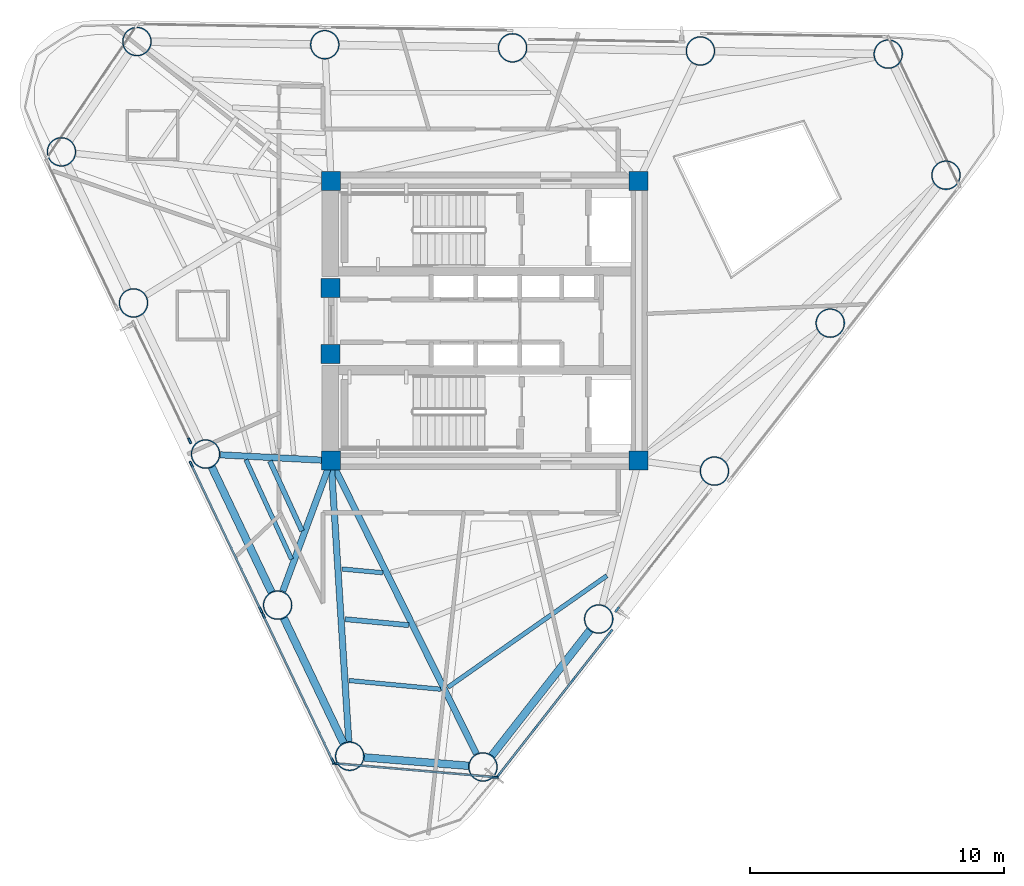
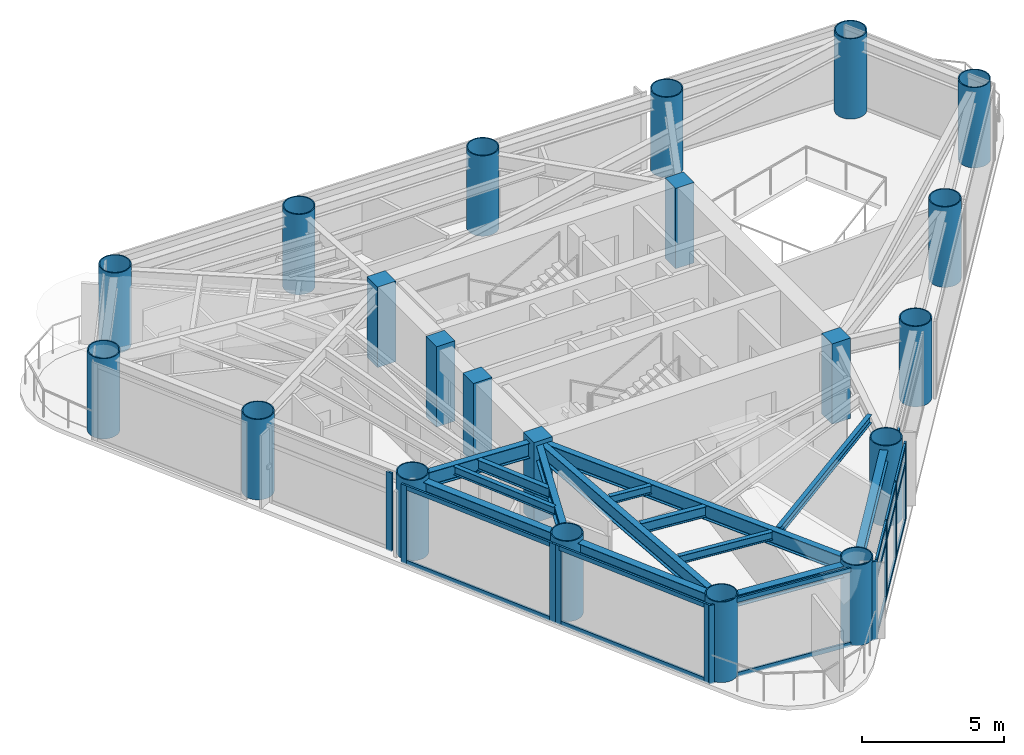
# One storey, part 1 of 9: 27 members, 21 columns, 14 beams, 6 elements without a shape of their own.
"""IFC4 building model written with IfcOpenShell, lengths in metres."""

from ifc_helpers import new_model, si_unit, direction, frame, origin, origin_2d, place, context, subcontext, project, spatial, rectangle, hollow_circle, i_section, extrude, source, transform, mapped, material, layer, layer_set, material_profile, profile_set, type_object, element, aggregate, save


model = new_model("IFC4")

# Units and contexts
model_context = context("Model", 3, precision=1e-05, world=origin(), true_north=direction((0.0, 1.0)))
body_context = subcontext(model_context, "Body", "Model", "MODEL_VIEW")
ifc_project = project(units=[si_unit("LENGTHUNIT", "METRE"), si_unit("AREAUNIT", "SQUARE_METRE"), si_unit("VOLUMEUNIT", "CUBIC_METRE"), si_unit("PLANEANGLEUNIT", "RADIAN"), si_unit("MASSUNIT", "GRAM", prefix="KILO")], contexts=[model_context])

# Site, building, storey
site_placement = place(None, origin())
site = spatial("IfcSite", under=ifc_project, at=site_placement, CompositionType="ELEMENT")
building_placement = place(site_placement, origin())
building = spatial("IfcBuilding", under=site, at=building_placement, Name="Yunling Apex Tower", CompositionType="ELEMENT")
storey_placement = place(building_placement, frame((0.0, 0.0, 201.800048828125)))
storey = spatial("IfcBuildingStorey", under=building, at=storey_placement, Name="L49", CompositionType="ELEMENT", Elevation=201.800048828125)

# Columns
ifc_material_1 = material(Name="Concrete C50", Category="concrete")
ifc_material_profile_1 = material_profile(ifc_material_1, rectangle(XDim=0.75, YDim=0.75, at=origin_2d()))
ifc_profile_set_1 = profile_set([ifc_material_profile_1], Name="Concrete C50")
column_type_1 = type_object("IfcColumnType", Name="PC-SRC-4", PredefinedType="COLUMN", material=ifc_profile_set_1)
shared_shape_1 = source(origin(), body_context, "Body", "SweptSolid", [
    extrude(rectangle(XDim=0.75, YDim=0.75, at=origin_2d()), origin(), (0.0, 0.0, 1.0), 3.449951171875),
])
for number, where, z_axis, x_axis, name in (
    (1, (-6.050048828125, -5.5, 0.0), (0.0, 0.0, 1.0), (1.0, 0.0, 0.0), "L49 Core Spine Column CC-SW"),
    (2, (6.050048828125, -5.5, 0.0), (0.0, 0.0, 1.0), (1.0, 0.0, 0.0), "L49 Core Spine Column CC-SE"),
    (3, (6.050048828125, 5.5, 0.0), (0.0, 0.0, 1.0), (1.0, 0.0, 0.0), "L49 Core Spine Column CC-NE"),
    (4, (-6.050048828125, 5.5, 0.0), (0.0, 0.0, 1.0), (1.0, 0.0, 0.0), "L49 Core Spine Column CC-NW"),
    (5, (-6.074951171875, -1.300048828125, 0.0), (0.0, 0.0, 1.0), (1.0, 0.0, 0.0), "L49 Core West Portal Jamb Column S"),
    (6, (-6.074951171875, 1.300048828125, 0.0), (0.0, 0.0, 1.0), (1.0, 0.0, 0.0), "L49 Core West Portal Jamb Column N"),
):
    element("IfcColumn", number, at=place(storey_placement, frame(where, z_axis=z_axis, x_axis=x_axis)), inside=storey, type_object=column_type_1, Name=name, PredefinedType="COLUMN", context=body_context, shape_type="MappedRepresentation", body=[
        mapped(shared_shape_1, transform((0.0, 0.0, 0.0), scale=1.0)),
    ])
ifc_material_2 = material(Name="Steel Q390GJC", Category="steel")
ifc_material_profile_2 = material_profile(ifc_material_2, hollow_circle(Radius=0.574951171875, WallThickness=0.0419921875, at=origin_2d()))
ifc_profile_set_2 = profile_set([ifc_material_profile_2], Name="Steel Q390GJC")
column_type_2 = type_object("IfcColumnType", Name="MC-CFST-4", PredefinedType="COLUMN", material=ifc_profile_set_2)
shared_shape_2 = source(origin(), body_context, "Body", "SweptSolid", [
    extrude(hollow_circle(Radius=0.574951171875, WallThickness=0.0419921875, at=origin_2d()), origin(), (0.0, 0.0, 1.0), 3.449951171875),
])
for number, where, z_axis, x_axis, name in (
    (7, (-0.073486328125, -17.55322265625, 0.0), (0.0, 0.0, 1.0), (1.0, 0.0, 0.0), "L49 Perimeter CFST Mega-Column P01"),
    (8, (4.480712890625, -11.732177734375, 0.0), (0.0, 0.0, 1.0), (1.0, 0.0, 0.0), "L49 Perimeter CFST Mega-Column P02"),
    (9, (9.03515625, -5.911376953125, 0.0), (0.0, 0.0, 1.0), (1.0, 0.0, 0.0), "L49 Perimeter CFST Mega-Column P03"),
    (10, (13.589599609375, -0.09033203125, 0.0), (0.0, 0.0, 1.0), (1.0, 0.0, 0.0), "L49 Perimeter CFST Mega-Column P04"),
    (11, (18.143798828125, 5.730712890625, 0.0), (0.0, 0.0, 1.0), (1.0, 0.0, 0.0), "L49 Perimeter CFST Mega-Column P05"),
    (12, (15.871826171875, 10.493896484375, 0.0), (0.0, 0.0, 1.0), (1.0, 0.0, 0.0), "L49 Perimeter CFST Mega-Column P06"),
    (13, (8.48193359375, 10.617919921875, 0.0), (0.0, 0.0, 1.0), (1.0, 0.0, 0.0), "L49 Perimeter CFST Mega-Column P07"),
    (14, (1.092041015625, 10.74169921875, 0.0), (0.0, 0.0, 1.0), (1.0, 0.0, 0.0), "L49 Perimeter CFST Mega-Column P08"),
    (15, (-6.2978515625, 10.865478515625, 0.0), (0.0, 0.0, 1.0), (1.0, 0.0, 0.0), "L49 Perimeter CFST Mega-Column P09"),
    (16, (-13.687744140625, 10.989501953125, 0.0), (0.0, 0.0, 1.0), (1.0, 0.0, 0.0), "L49 Perimeter CFST Mega-Column P10"),
    (17, (-16.657958984375, 6.649169921875, 0.0), (0.0, 0.0, 1.0), (1.0, 0.0, 0.0), "L49 Perimeter CFST Mega-Column P11"),
    (18, (-13.822509765625, 0.704345703125, 0.0), (0.0, 0.0, 1.0), (1.0, 0.0, 0.0), "L49 Perimeter CFST Mega-Column P12"),
    (19, (-10.98681640625, -5.240478515625, 0.0), (0.0, 0.0, 1.0), (1.0, 0.0, 0.0), "L49 Perimeter CFST Mega-Column P13"),
    (20, (-8.1513671875, -11.185302734375, 0.0), (0.0, 0.0, 1.0), (1.0, 0.0, 0.0), "L49 Perimeter CFST Mega-Column P14"),
    (21, (-5.31591796875, -17.130126953125, 0.0), (0.0, 0.0, 1.0), (1.0, 0.0, 0.0), "L49 Perimeter CFST Mega-Column P15"),
):
    element("IfcColumn", number, at=place(storey_placement, frame(where, z_axis=z_axis, x_axis=x_axis)), inside=storey, type_object=column_type_2, Name=name, PredefinedType="COLUMN", context=body_context, shape_type="MappedRepresentation", body=[
        mapped(shared_shape_2, transform((0.0, 0.0, 0.0), scale=1.0)),
    ])

# Beams
ifc_material_3 = material(Name="Steel Q355B", Category="steel")
ifc_material_profile_3 = material_profile(ifc_material_3, i_section(OverallWidth=0.300048828125, OverallDepth=0.489990234375, WebThickness=0.010986328125, FlangeThickness=0.01806640625, FilletRadius=0.02197265625, at=origin_2d()))
ifc_profile_set_3 = profile_set([ifc_material_profile_3], Name="Steel Q355B")
beam_type_1 = type_object("IfcBeamType", Name="BP-SPN-2", PredefinedType="SPANDREL", material=ifc_profile_set_3)
shared_shape_3 = source(origin(), body_context, "Body", "SweptSolid", [
    extrude(i_section(OverallWidth=0.300048828125, OverallDepth=0.489990234375, WebThickness=0.010986328125, FlangeThickness=0.01806640625, FilletRadius=0.02197265625, at=origin_2d()), origin(), (0.0, 0.0, 1.0), 6.252685546875),
])
beam_1_placement = place(storey_placement, frame((0.277099609375, -17.10498046875, 3.02490234375), z_axis=(0.616211399259, 0.787580796759, 0.0), x_axis=(-0.787580796759, 0.616211399259, 0.0)))
element("IfcBeam", 22, at=beam_1_placement, inside=storey, type_object=beam_type_1, Name="L49 Perimeter Spandrel Beam 1", PredefinedType="SPANDREL", context=body_context, shape_type="MappedRepresentation", body=[
    mapped(shared_shape_3, transform((0.0, 0.0, 0.0), scale=1.0)),
])
shared_shape_4 = source(origin(), body_context, "Body", "SweptSolid", [
    extrude(i_section(OverallWidth=0.300048828125, OverallDepth=0.489990234375, WebThickness=0.010986328125, FlangeThickness=0.01806640625, FilletRadius=0.02197265625, at=origin_2d()), origin(), (0.0, 0.0, 1.0), 4.121337890625),
])
beam_2_placement = place(storey_placement, frame((-4.74853515625, -17.17578125, 3.02490234375), z_axis=(0.996758900332, -0.080446843376, 0.0), x_axis=(0.080446843376, 0.996758900332, 0.0)))
element("IfcBeam", 23, at=beam_2_placement, inside=storey, type_object=beam_type_1, Name="L49 Perimeter Spandrel Beam 15", PredefinedType="SPANDREL", context=body_context, shape_type="MappedRepresentation", body=[
    mapped(shared_shape_4, transform((0.0, 0.0, 0.0), scale=1.0)),
])
shared_shape_5 = source(origin(), body_context, "Body", "SweptSolid", [
    extrude(i_section(OverallWidth=0.300048828125, OverallDepth=0.489990234375, WebThickness=0.010986328125, FlangeThickness=0.01806640625, FilletRadius=0.02197265625, at=origin_2d()), origin(), (0.0, 0.0, 1.0), 5.4482421875),
])
for number, where, z_axis, x_axis, name in (
    (24, (-10.741943359375, -5.754150390625, 3.02490234375), (0.430538797564, -0.902572071246, 0.0), (0.902572071246, 0.430538797564, 0.0), "L49 Perimeter Spandrel Beam 13"),
    (25, (-7.90625, -11.698974609375, 3.02490234375), (0.430502292287, -0.902589483839, 0.0), (0.902589483839, 0.430502292287, 0.0), "L49 Perimeter Spandrel Beam 14"),
):
    element("IfcBeam", number, at=place(storey_placement, frame(where, z_axis=z_axis, x_axis=x_axis)), inside=storey, type_object=beam_type_1, Name=name, PredefinedType="SPANDREL", context=body_context, shape_type="MappedRepresentation", body=[
        mapped(shared_shape_5, transform((0.0, 0.0, 0.0), scale=1.0)),
    ])
ifc_material_profile_4 = material_profile(ifc_material_3, i_section(OverallWidth=0.25, OverallDepth=0.64990234375, WebThickness=0.011962890625, FlangeThickness=0.02001953125, FilletRadius=0.02392578125, at=origin_2d()))
ifc_profile_set_4 = profile_set([ifc_material_profile_4], Name="Steel Q355B")
beam_type_2 = type_object("IfcBeamType", Name="BG-PRI-4", PredefinedType="USERDEFINED", material=ifc_profile_set_4)
shared_shape_6 = source(origin(), body_context, "Body", "SweptSolid", [
    extrude(i_section(OverallWidth=0.25, OverallDepth=0.64990234375, WebThickness=0.011962890625, FlangeThickness=0.02001953125, FilletRadius=0.02392578125, at=origin_2d()), origin(), (0.0, 0.0, 1.0), 12.79052734375),
])
beam_3_placement = place(storey_placement, frame((-0.33251953125, -17.031005859375, 2.945068359375), z_axis=(-0.444225803272, 0.895914859631, 0.0), x_axis=(-0.895914859631, -0.444225803272, 0.0)))
element("IfcBeam", 26, at=beam_3_placement, inside=storey, type_object=beam_type_2, Name="L49 Radial Primary Girder R01", ObjectType="GIRDER", PredefinedType="USERDEFINED", context=body_context, shape_type="MappedRepresentation", body=[
    mapped(shared_shape_6, transform((0.0, 0.0, 0.0), scale=1.0)),
])
shared_shape_7 = source(origin(), body_context, "Body", "SweptSolid", [
    extrude(i_section(OverallWidth=0.25, OverallDepth=0.64990234375, WebThickness=0.011962890625, FlangeThickness=0.02001953125, FilletRadius=0.02392578125, at=origin_2d()), origin(), (0.0, 0.0, 1.0), 4.28076171875),
])
beam_4_placement = place(storey_placement, frame((-10.40478515625, -5.27099609375, 2.945068359375), z_axis=(0.998619561788, -0.052525906134, 0.0), x_axis=(0.052525906134, 0.998619561788, 0.0)))
element("IfcBeam", 27, at=beam_4_placement, inside=storey, type_object=beam_type_2, Name="L49 Radial Primary Girder R13", ObjectType="GIRDER", PredefinedType="USERDEFINED", context=body_context, shape_type="MappedRepresentation", body=[
    mapped(shared_shape_7, transform((0.0, 0.0, 0.0), scale=1.0)),
])
shared_shape_8 = source(origin(), body_context, "Body", "SweptSolid", [
    extrude(i_section(OverallWidth=0.25, OverallDepth=0.64990234375, WebThickness=0.011962890625, FlangeThickness=0.02001953125, FilletRadius=0.02392578125, at=origin_2d()), origin(), (0.0, 0.0, 1.0), 5.398193359375),
])
beam_5_placement = place(storey_placement, frame((-7.94921875, -10.638427734375, 2.945068359375), z_axis=(0.346698581513, 0.937976595431, 0.0), x_axis=(-0.937976595431, 0.346698581513, 0.0)))
element("IfcBeam", 28, at=beam_5_placement, inside=storey, type_object=beam_type_2, Name="L49 Radial Primary Girder R14", ObjectType="GIRDER", PredefinedType="USERDEFINED", context=body_context, shape_type="MappedRepresentation", body=[
    mapped(shared_shape_8, transform((0.0, 0.0, 0.0), scale=1.0)),
])
shared_shape_9 = source(origin(), body_context, "Body", "SweptSolid", [
    extrude(i_section(OverallWidth=0.25, OverallDepth=0.64990234375, WebThickness=0.011962890625, FlangeThickness=0.02001953125, FilletRadius=0.02392578125, at=origin_2d()), origin(), (0.0, 0.0, 1.0), 10.990234375),
])
beam_6_placement = place(storey_placement, frame((-5.3525390625, -16.54833984375, 2.945068359375), z_axis=(-0.062999232086, 0.998013575437, 0.0), x_axis=(-0.998013575437, -0.062999232086, 0.0)))
element("IfcBeam", 29, at=beam_6_placement, inside=storey, type_object=beam_type_2, Name="L49 Radial Primary Girder R15", ObjectType="GIRDER", PredefinedType="USERDEFINED", context=body_context, shape_type="MappedRepresentation", body=[
    mapped(shared_shape_9, transform((0.0, 0.0, 0.0), scale=1.0)),
])
ifc_material_profile_5 = material_profile(ifc_material_3, i_section(OverallWidth=0.175048828125, OverallDepth=0.35009765625, WebThickness=0.007080078125, FlangeThickness=0.010986328125, FilletRadius=0.013916015625, at=origin_2d()))
ifc_profile_set_5 = profile_set([ifc_material_profile_5], Name="Steel Q355B")
beam_type_3 = type_object("IfcBeamType", Name="BJ-JST-1", PredefinedType="JOIST", material=ifc_profile_set_5)
shared_shape_10 = source(origin(), body_context, "Body", "SweptSolid", [
    extrude(i_section(OverallWidth=0.175048828125, OverallDepth=0.35009765625, WebThickness=0.007080078125, FlangeThickness=0.010986328125, FilletRadius=0.013916015625, at=origin_2d()), origin(), (0.0, 0.0, 1.0), 7.639892578125),
])
beam_7_placement = place(storey_placement, frame((-1.45166015625, -14.41796875, 3.094970703125), z_axis=(0.818522685397, 0.574474206113, 0.0), x_axis=(-0.574474206113, 0.818522685397, 0.0)))
element("IfcBeam", 30, at=beam_7_placement, inside=storey, type_object=beam_type_3, Name="L49 Composite Floor Joist BJ1-1", PredefinedType="JOIST", context=body_context, shape_type="MappedRepresentation", body=[
    mapped(shared_shape_10, transform((0.0, 0.0, 0.0), scale=1.0)),
])
ifc_material_profile_6 = material_profile(ifc_material_3, i_section(OverallWidth=0.199951171875, OverallDepth=0.449951171875, WebThickness=0.009033203125, FlangeThickness=0.013916015625, FilletRadius=0.01806640625, at=origin_2d()))
ifc_profile_set_6 = profile_set([ifc_material_profile_6], Name="Steel Q355B")
beam_type_4 = type_object("IfcBeamType", Name="BS-SEC-3", PredefinedType="BEAM", material=ifc_profile_set_6)
shared_shape_11 = source(origin(), body_context, "Body", "SweptSolid", [
    extrude(i_section(OverallWidth=0.199951171875, OverallDepth=0.449951171875, WebThickness=0.009033203125, FlangeThickness=0.013916015625, FilletRadius=0.01806640625, at=origin_2d()), origin(), (0.0, 0.0, 1.0), 3.0263671875),
])
beam_8_placement = place(storey_placement, frame((-8.456787109375, -5.515380859375, 3.044921875), z_axis=(0.417707186738, -0.908581700315, 0.0), x_axis=(0.908581700315, 0.417707186738, 0.0)))
element("IfcBeam", 31, at=beam_8_placement, inside=storey, type_object=beam_type_4, Name="L49 Composite Floor Beam BS-13", PredefinedType="BEAM", context=body_context, shape_type="MappedRepresentation", body=[
    mapped(shared_shape_11, transform((0.0, 0.0, 0.0), scale=1.0)),
])
shared_shape_12 = source(origin(), body_context, "Body", "SweptSolid", [
    extrude(i_section(OverallWidth=0.175048828125, OverallDepth=0.35009765625, WebThickness=0.007080078125, FlangeThickness=0.010986328125, FilletRadius=0.013916015625, at=origin_2d()), origin(), (0.0, 0.0, 1.0), 4.3046875),
])
beam_9_placement = place(storey_placement, frame((-9.397705078125, -5.466064453125, 3.094970703125), z_axis=(0.416693768596, -0.909046920248, 0.0), x_axis=(0.909046920248, 0.416693768596, 0.0)))
element("IfcBeam", 32, at=beam_9_placement, inside=storey, type_object=beam_type_3, Name="L49 Composite Floor Joist BJ1-13", PredefinedType="JOIST", context=body_context, shape_type="MappedRepresentation", body=[
    mapped(shared_shape_12, transform((0.0, 0.0, 0.0), scale=1.0)),
])
shared_shape_13 = source(origin(), body_context, "Body", "SweptSolid", [
    extrude(i_section(OverallWidth=0.199951171875, OverallDepth=0.449951171875, WebThickness=0.009033203125, FlangeThickness=0.013916015625, FilletRadius=0.01806640625, at=origin_2d()), origin(), (0.0, 0.0, 1.0), 2.51708984375),
])
beam_10_placement = place(storey_placement, frame((-5.497802734375, -11.7373046875, 3.044921875), z_axis=(0.995573168634, -0.093989711653, 0.0), x_axis=(0.093989711653, 0.995573168634, 0.0)))
element("IfcBeam", 33, at=beam_10_placement, inside=storey, type_object=beam_type_4, Name="L49 Composite Floor Beam BS-15", PredefinedType="BEAM", context=body_context, shape_type="MappedRepresentation", body=[
    mapped(shared_shape_13, transform((0.0, 0.0, 0.0), scale=1.0)),
])
shared_shape_14 = source(origin(), body_context, "Body", "SweptSolid", [
    extrude(i_section(OverallWidth=0.175048828125, OverallDepth=0.35009765625, WebThickness=0.007080078125, FlangeThickness=0.010986328125, FilletRadius=0.013916015625, at=origin_2d()), origin(), (0.0, 0.0, 1.0), 3.620361328125),
])
beam_11_placement = place(storey_placement, frame((-5.345703125, -14.150390625, 3.094970703125), z_axis=(0.99546937037, -0.095082767391, 0.0), x_axis=(0.095082767391, 0.99546937037, 0.0)))
element("IfcBeam", 34, at=beam_11_placement, inside=storey, type_object=beam_type_3, Name="L49 Composite Floor Joist BJ1-15", PredefinedType="JOIST", context=body_context, shape_type="MappedRepresentation", body=[
    mapped(shared_shape_14, transform((0.0, 0.0, 0.0), scale=1.0)),
])
shared_shape_15 = source(origin(), body_context, "Body", "SweptSolid", [
    extrude(i_section(OverallWidth=0.175048828125, OverallDepth=0.35009765625, WebThickness=0.007080078125, FlangeThickness=0.010986328125, FilletRadius=0.013916015625, at=origin_2d()), origin(), (0.0, 0.0, 1.0), 1.61474609375),
])
beam_12_placement = place(storey_placement, frame((-5.62255859375, -9.7626953125, 3.094970703125), z_axis=(0.995751976421, -0.092076063413, 0.0), x_axis=(0.092076063413, 0.995751976421, 0.0)))
element("IfcBeam", 35, at=beam_12_placement, inside=storey, type_object=beam_type_3, Name="L49 Composite Floor Joist BJ3-15", PredefinedType="JOIST", context=body_context, shape_type="MappedRepresentation", body=[
    mapped(shared_shape_15, transform((0.0, 0.0, 0.0), scale=1.0)),
])

# Curtain wall, members
ifc_material_4 = material(Name="Bronze anodised aluminium", Category="aluminium")
ifc_layer = layer(ifc_material_4, 0.239990234375)
ifc_layer_set = layer_set([ifc_layer], Name="Bronze anodised aluminium")
curtain_wall_type = type_object("IfcCurtainWallType", Name="CW-SYS-3", PredefinedType="NOTDEFINED", material=ifc_layer_set)
curtain_wall_1_placement = place(storey_placement, origin())
curtain_wall_1 = element("IfcCurtainWall", 36, at=curtain_wall_1_placement, inside=storey, type_object=curtain_wall_type, Name="CW-L49-F1-B1", PredefinedType="NOTDEFINED")
ifc_material_profile_7 = material_profile(ifc_material_4, rectangle(XDim=0.080078125, YDim=0.239990234375, at=origin_2d()))
ifc_profile_set_7 = profile_set([ifc_material_profile_7], Name="Bronze anodised aluminium")
member_type_1 = type_object("IfcMemberType", Name="CW-MUL-3", PredefinedType="MULLION", material=ifc_profile_set_7)
shared_shape_16 = source(origin(), body_context, "Body", "SweptSolid", [
    extrude(rectangle(XDim=0.080078125, YDim=0.239990234375, at=origin_2d()), origin(), (0.0, 0.0, 1.0), 3.3701171875),
])
member_1_placement = place(storey_placement, frame((0.535888671875, -17.877685546875, -0.050048828125), z_axis=(0.0, 0.0, 1.0), x_axis=(-0.787589332433, 0.616200489644, 0.0)))
member_1 = element("IfcMember", 37, at=member_1_placement, type_object=member_type_1, Name="CW-SYS-3 mullion 1", PredefinedType="MULLION", context=body_context, shape_type="MappedRepresentation", body=[
    mapped(shared_shape_16, transform((0.0, 0.0, 0.0), scale=1.0)),
])
member_2_placement = place(storey_placement, frame((1.99658203125, -16.010986328125, -0.050048828125), z_axis=(0.0, 0.0, 1.0), x_axis=(-0.787589332433, 0.616200489644, 0.0)))
member_2 = element("IfcMember", 38, at=member_2_placement, type_object=member_type_1, Name="CW-SYS-3 mullion 2", PredefinedType="MULLION", context=body_context, shape_type="MappedRepresentation", body=[
    mapped(shared_shape_16, transform((0.0, 0.0, 0.0), scale=1.0)),
])
member_3_placement = place(storey_placement, frame((3.481689453125, -14.112548828125, -0.050048828125), z_axis=(0.0, 0.0, 1.0), x_axis=(-0.787589332433, 0.616200489644, 0.0)))
member_3 = element("IfcMember", 39, at=member_3_placement, type_object=member_type_1, Name="CW-SYS-3 mullion 3", PredefinedType="MULLION", context=body_context, shape_type="MappedRepresentation", body=[
    mapped(shared_shape_16, transform((0.0, 0.0, 0.0), scale=1.0)),
])
member_4_placement = place(storey_placement, frame((4.9423828125, -12.24560546875, -0.050048828125), z_axis=(0.0, 0.0, 1.0), x_axis=(-0.787589332433, 0.616200489644, 0.0)))
member_4 = element("IfcMember", 40, at=member_4_placement, type_object=member_type_1, Name="CW-SYS-3 mullion 4", PredefinedType="MULLION", context=body_context, shape_type="MappedRepresentation", body=[
    mapped(shared_shape_16, transform((0.0, 0.0, 0.0), scale=1.0)),
])

# Curtain wall, member
curtain_wall_2_placement = place(storey_placement, origin())
curtain_wall_2 = element("IfcCurtainWall", 41, at=curtain_wall_2_placement, inside=storey, type_object=curtain_wall_type, Name="CW-L49-F1-B2", PredefinedType="NOTDEFINED")
member_5_placement = place(storey_placement, frame((5.20458984375, -11.35888671875, -0.050048828125), z_axis=(0.0, 0.0, 1.0), x_axis=(-0.787576499109, 0.616216892053, 0.0)))
member_5 = element("IfcMember", 42, at=member_5_placement, type_object=member_type_1, Name="CW-SYS-3 mullion 1", PredefinedType="MULLION", context=body_context, shape_type="MappedRepresentation", body=[
    mapped(shared_shape_16, transform((0.0, 0.0, 0.0), scale=1.0)),
])
aggregate(curtain_wall_2, [member_5])

curtain_wall_3_placement = place(storey_placement, origin())
curtain_wall_3 = element("IfcCurtainWall", 43, at=curtain_wall_3_placement, inside=storey, type_object=curtain_wall_type, Name="CW-L49-F3-B2", PredefinedType="NOTDEFINED")
member_6_placement = place(storey_placement, frame((-11.6123046875, -4.718994140625, -0.050048828125), z_axis=(0.0, 0.0, 1.0), x_axis=(0.902583049107, 0.430515783062, 0.0)))
member_6 = element("IfcMember", 44, at=member_6_placement, type_object=member_type_1, Name="CW-SYS-3 mullion 2", PredefinedType="MULLION", context=body_context, shape_type="MappedRepresentation", body=[
    mapped(shared_shape_16, transform((0.0, 0.0, 0.0), scale=1.0)),
])
aggregate(curtain_wall_3, [member_6])

# Curtain wall, members
curtain_wall_4_placement = place(storey_placement, origin())
curtain_wall_4 = element("IfcCurtainWall", 45, at=curtain_wall_4_placement, inside=storey, type_object=curtain_wall_type, Name="CW-L49-F3-B3", PredefinedType="NOTDEFINED")
member_7_placement = place(storey_placement, frame((-11.549072265625, -5.6416015625, -0.050048828125), z_axis=(0.0, 0.0, 1.0), x_axis=(0.902588239851, 0.430504900417, 0.0)))
member_7 = element("IfcMember", 46, at=member_7_placement, type_object=member_type_1, Name="CW-SYS-3 mullion 1", PredefinedType="MULLION", context=body_context, shape_type="MappedRepresentation", body=[
    mapped(shared_shape_16, transform((0.0, 0.0, 0.0), scale=1.0)),
])
member_8_placement = place(storey_placement, frame((-8.81689453125, -11.36962890625, -0.050048828125), z_axis=(0.0, 0.0, 1.0), x_axis=(0.902588239851, 0.430504900417, 0.0)))
member_8 = element("IfcMember", 47, at=member_8_placement, type_object=member_type_1, Name="CW-SYS-3 mullion 2", PredefinedType="MULLION", context=body_context, shape_type="MappedRepresentation", body=[
    mapped(shared_shape_16, transform((0.0, 0.0, 0.0), scale=1.0)),
])

curtain_wall_5_placement = place(storey_placement, origin())
curtain_wall_5 = element("IfcCurtainWall", 48, at=curtain_wall_5_placement, inside=storey, type_object=curtain_wall_type, Name="CW-L49-F3-B4", PredefinedType="NOTDEFINED")
member_9_placement = place(storey_placement, frame((-8.71337890625, -11.586181640625, -0.050048828125), z_axis=(0.0, 0.0, 1.0), x_axis=(0.902582193367, 0.430517577128, 0.0)))
member_9 = element("IfcMember", 49, at=member_9_placement, type_object=member_type_1, Name="CW-SYS-3 mullion 1", PredefinedType="MULLION", context=body_context, shape_type="MappedRepresentation", body=[
    mapped(shared_shape_16, transform((0.0, 0.0, 0.0), scale=1.0)),
])
member_10_placement = place(storey_placement, frame((-5.981201171875, -17.314453125, -0.050048828125), z_axis=(0.0, 0.0, 1.0), x_axis=(0.902582193367, 0.430517577128, 0.0)))
member_10 = element("IfcMember", 50, at=member_10_placement, type_object=member_type_1, Name="CW-SYS-3 mullion 2", PredefinedType="MULLION", context=body_context, shape_type="MappedRepresentation", body=[
    mapped(shared_shape_16, transform((0.0, 0.0, 0.0), scale=1.0)),
])

curtain_wall_6_placement = place(storey_placement, origin())
curtain_wall_6 = element("IfcCurtainWall", 51, at=curtain_wall_6_placement, inside=storey, type_object=curtain_wall_type, Name="CW-L49-CRN3", PredefinedType="NOTDEFINED")
member_11_placement = place(storey_placement, frame((-5.87158203125, -17.417724609375, -0.050048828125), z_axis=(0.0, 0.0, 1.0), x_axis=(0.085517150026, 0.996336698637, 0.0)))
member_11 = element("IfcMember", 52, at=member_11_placement, type_object=member_type_1, Name="CW-SYS-3 mullion 1", PredefinedType="MULLION", context=body_context, shape_type="MappedRepresentation", body=[
    mapped(shared_shape_16, transform((0.0, 0.0, 0.0), scale=1.0)),
])
member_12_placement = place(storey_placement, frame((0.406494140625, -17.95654296875, -0.050048828125), z_axis=(0.0, 0.0, 1.0), x_axis=(0.085517150026, 0.996336698637, 0.0)))
member_12 = element("IfcMember", 53, at=member_12_placement, type_object=member_type_1, Name="CW-SYS-3 mullion 2", PredefinedType="MULLION", context=body_context, shape_type="MappedRepresentation", body=[
    mapped(shared_shape_16, transform((0.0, 0.0, 0.0), scale=1.0)),
])

# Member
ifc_material_profile_8 = material_profile(ifc_material_4, rectangle(XDim=0.080078125, YDim=0.18505859375, at=origin_2d()))
ifc_profile_set_8 = profile_set([ifc_material_profile_8], Name="Bronze anodised aluminium")
member_type_2 = type_object("IfcMemberType", Name="CW-TRN-3", PredefinedType="USERDEFINED", material=ifc_profile_set_8)
shared_shape_17 = source(origin(), body_context, "Body", "SweptSolid", [
    extrude(rectangle(XDim=0.080078125, YDim=0.18505859375, at=origin_2d()), origin(), (0.0, 0.0, 1.0), 2.29833984375),
])
member_13_placement = place(storey_placement, frame((0.55810546875, -17.849365234375, 0.0400390625), z_axis=(0.616225194125, 0.787570003317, 0.0), x_axis=(-0.787570003317, 0.616225194125, 0.0)))
member_13 = element("IfcMember", 54, at=member_13_placement, type_object=member_type_2, Name="CW-SYS-3 transom 1.1", ObjectType="TRANSOM", PredefinedType="USERDEFINED", context=body_context, shape_type="MappedRepresentation", body=[
    mapped(shared_shape_17, transform((0.0, 0.0, 0.0), scale=1.0)),
])

member_14_placement = place(storey_placement, frame((0.55810546875, -17.849365234375, 2.485107421875), z_axis=(0.616225194125, 0.787570003317, 0.0), x_axis=(-0.787570003317, 0.616225194125, 0.0)))
member_14 = element("IfcMember", 55, at=member_14_placement, type_object=member_type_2, Name="CW-SYS-3 transom 1.2", ObjectType="TRANSOM", PredefinedType="USERDEFINED", context=body_context, shape_type="MappedRepresentation", body=[
    mapped(shared_shape_17, transform((0.0, 0.0, 0.0), scale=1.0)),
])

member_15_placement = place(storey_placement, frame((0.55810546875, -17.849365234375, 3.22998046875), z_axis=(0.616225194125, 0.787570003317, 0.0), x_axis=(-0.787570003317, 0.616225194125, 0.0)))
member_15 = element("IfcMember", 56, at=member_15_placement, type_object=member_type_2, Name="CW-SYS-3 transom 1.3", ObjectType="TRANSOM", PredefinedType="USERDEFINED", context=body_context, shape_type="MappedRepresentation", body=[
    mapped(shared_shape_17, transform((0.0, 0.0, 0.0), scale=1.0)),
])

member_16_placement = place(storey_placement, frame((3.50390625, -14.084228515625, 0.0400390625), z_axis=(0.616225194125, 0.787570003317, 0.0), x_axis=(-0.787570003317, 0.616225194125, 0.0)))
member_16 = element("IfcMember", 57, at=member_16_placement, type_object=member_type_2, Name="CW-SYS-3 transom 3.1", ObjectType="TRANSOM", PredefinedType="USERDEFINED", context=body_context, shape_type="MappedRepresentation", body=[
    mapped(shared_shape_17, transform((0.0, 0.0, 0.0), scale=1.0)),
])

member_17_placement = place(storey_placement, frame((3.50390625, -14.084228515625, 2.485107421875), z_axis=(0.616225194125, 0.787570003317, 0.0), x_axis=(-0.787570003317, 0.616225194125, 0.0)))
member_17 = element("IfcMember", 58, at=member_17_placement, type_object=member_type_2, Name="CW-SYS-3 transom 3.2", ObjectType="TRANSOM", PredefinedType="USERDEFINED", context=body_context, shape_type="MappedRepresentation", body=[
    mapped(shared_shape_17, transform((0.0, 0.0, 0.0), scale=1.0)),
])

member_18_placement = place(storey_placement, frame((3.50390625, -14.084228515625, 3.22998046875), z_axis=(0.616225194125, 0.787570003317, 0.0), x_axis=(-0.787570003317, 0.616225194125, 0.0)))
member_18 = element("IfcMember", 59, at=member_18_placement, type_object=member_type_2, Name="CW-SYS-3 transom 3.3", ObjectType="TRANSOM", PredefinedType="USERDEFINED", context=body_context, shape_type="MappedRepresentation", body=[
    mapped(shared_shape_17, transform((0.0, 0.0, 0.0), scale=1.0)),
])

shared_shape_18 = source(origin(), body_context, "Body", "SweptSolid", [
    extrude(rectangle(XDim=0.080078125, YDim=0.18505859375, at=origin_2d()), origin(), (0.0, 0.0, 1.0), 2.338134765625),
])
member_19_placement = place(storey_placement, frame((2.018798828125, -15.982421875, 0.0400390625), z_axis=(0.61616466275, 0.787617361654, 0.0), x_axis=(-0.787617361654, 0.61616466275, 0.0)))
member_19 = element("IfcMember", 60, at=member_19_placement, type_object=member_type_2, Name="CW-SYS-3 transom 2.1", ObjectType="TRANSOM", PredefinedType="USERDEFINED", context=body_context, shape_type="MappedRepresentation", body=[
    mapped(shared_shape_18, transform((0.0, 0.0, 0.0), scale=1.0)),
])

member_20_placement = place(storey_placement, frame((2.018798828125, -15.982421875, 2.485107421875), z_axis=(0.61616466275, 0.787617361654, 0.0), x_axis=(-0.787617361654, 0.61616466275, 0.0)))
member_20 = element("IfcMember", 61, at=member_20_placement, type_object=member_type_2, Name="CW-SYS-3 transom 2.2", ObjectType="TRANSOM", PredefinedType="USERDEFINED", context=body_context, shape_type="MappedRepresentation", body=[
    mapped(shared_shape_18, transform((0.0, 0.0, 0.0), scale=1.0)),
])

member_21_placement = place(storey_placement, frame((2.018798828125, -15.982421875, 3.22998046875), z_axis=(0.61616466275, 0.787617361654, 0.0), x_axis=(-0.787617361654, 0.61616466275, 0.0)))
member_21 = element("IfcMember", 62, at=member_21_placement, type_object=member_type_2, Name="CW-SYS-3 transom 2.3", ObjectType="TRANSOM", PredefinedType="USERDEFINED", context=body_context, shape_type="MappedRepresentation", body=[
    mapped(shared_shape_18, transform((0.0, 0.0, 0.0), scale=1.0)),
])

aggregate(curtain_wall_1, [member_1, member_2, member_3, member_4, member_13, member_14, member_15, member_19, member_20, member_21, member_16, member_17, member_18])

shared_shape_19 = source(origin(), body_context, "Body", "SweptSolid", [
    extrude(rectangle(XDim=0.080078125, YDim=0.18505859375, at=origin_2d()), origin(), (0.0, 0.0, 1.0), 6.2744140625),
])
member_22_placement = place(storey_placement, frame((-11.533447265625, -5.674072265625, 0.0400390625), z_axis=(0.430513491492, -0.902584142141, 0.0), x_axis=(0.902584142141, 0.430513491492, 0.0)))
member_22 = element("IfcMember", 63, at=member_22_placement, type_object=member_type_2, Name="CW-SYS-3 transom 1.1", ObjectType="TRANSOM", PredefinedType="USERDEFINED", context=body_context, shape_type="MappedRepresentation", body=[
    mapped(shared_shape_19, transform((0.0, 0.0, 0.0), scale=1.0)),
])

member_23_placement = place(storey_placement, frame((-11.533447265625, -5.674072265625, 3.22998046875), z_axis=(0.430513491492, -0.902584142141, 0.0), x_axis=(0.902584142141, 0.430513491492, 0.0)))
member_23 = element("IfcMember", 64, at=member_23_placement, type_object=member_type_2, Name="CW-SYS-3 transom 1.2", ObjectType="TRANSOM", PredefinedType="USERDEFINED", context=body_context, shape_type="MappedRepresentation", body=[
    mapped(shared_shape_19, transform((0.0, 0.0, 0.0), scale=1.0)),
])

aggregate(curtain_wall_4, [member_7, member_8, member_22, member_23])

member_24_placement = place(storey_placement, frame((-8.697998046875, -11.618896484375, 0.0400390625), z_axis=(0.430513491492, -0.902584142141, 0.0), x_axis=(0.902584142141, 0.430513491492, 0.0)))
member_24 = element("IfcMember", 65, at=member_24_placement, type_object=member_type_2, Name="CW-SYS-3 transom 1.1", ObjectType="TRANSOM", PredefinedType="USERDEFINED", context=body_context, shape_type="MappedRepresentation", body=[
    mapped(shared_shape_19, transform((0.0, 0.0, 0.0), scale=1.0)),
])

member_25_placement = place(storey_placement, frame((-8.697998046875, -11.618896484375, 3.22998046875), z_axis=(0.430513491492, -0.902584142141, 0.0), x_axis=(0.902584142141, 0.430513491492, 0.0)))
member_25 = element("IfcMember", 66, at=member_25_placement, type_object=member_type_2, Name="CW-SYS-3 transom 1.2", ObjectType="TRANSOM", PredefinedType="USERDEFINED", context=body_context, shape_type="MappedRepresentation", body=[
    mapped(shared_shape_19, transform((0.0, 0.0, 0.0), scale=1.0)),
])

aggregate(curtain_wall_5, [member_9, member_10, member_24, member_25])

shared_shape_20 = source(origin(), body_context, "Body", "SweptSolid", [
    extrude(rectangle(XDim=0.080078125, YDim=0.18505859375, at=origin_2d()), origin(), (0.0, 0.0, 1.0), 6.22900390625),
])
member_26_placement = place(storey_placement, frame((-5.835693359375, -17.420654296875, 0.0400390625), z_axis=(0.996336446565, -0.085520086795, 0.0), x_axis=(0.085520086795, 0.996336446565, 0.0)))
member_26 = element("IfcMember", 67, at=member_26_placement, type_object=member_type_2, Name="CW-SYS-3 transom 1.1", ObjectType="TRANSOM", PredefinedType="USERDEFINED", context=body_context, shape_type="MappedRepresentation", body=[
    mapped(shared_shape_20, transform((0.0, 0.0, 0.0), scale=1.0)),
])

member_27_placement = place(storey_placement, frame((-5.835693359375, -17.420654296875, 3.22998046875), z_axis=(0.996336446565, -0.085520086795, 0.0), x_axis=(0.085520086795, 0.996336446565, 0.0)))
member_27 = element("IfcMember", 68, at=member_27_placement, type_object=member_type_2, Name="CW-SYS-3 transom 1.2", ObjectType="TRANSOM", PredefinedType="USERDEFINED", context=body_context, shape_type="MappedRepresentation", body=[
    mapped(shared_shape_20, transform((0.0, 0.0, 0.0), scale=1.0)),
])

aggregate(curtain_wall_6, [member_11, member_12, member_26, member_27])

save(model, "model.ifc")
